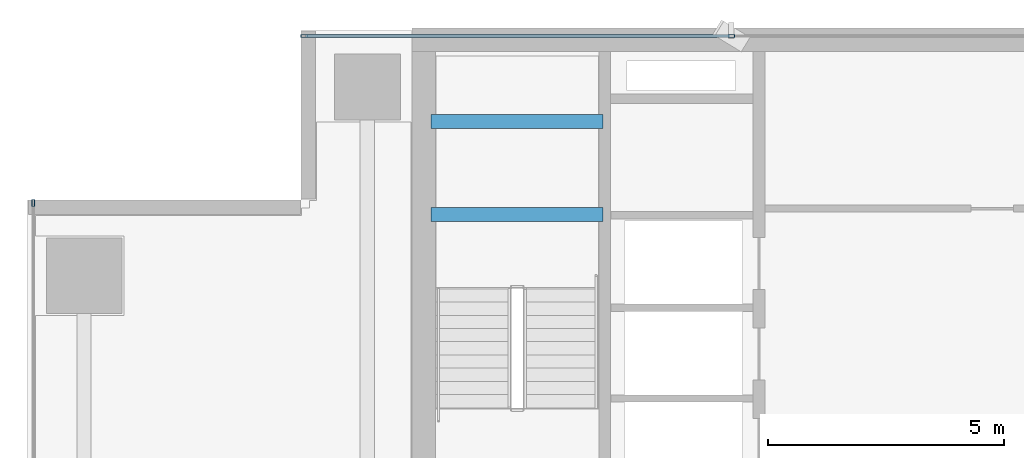
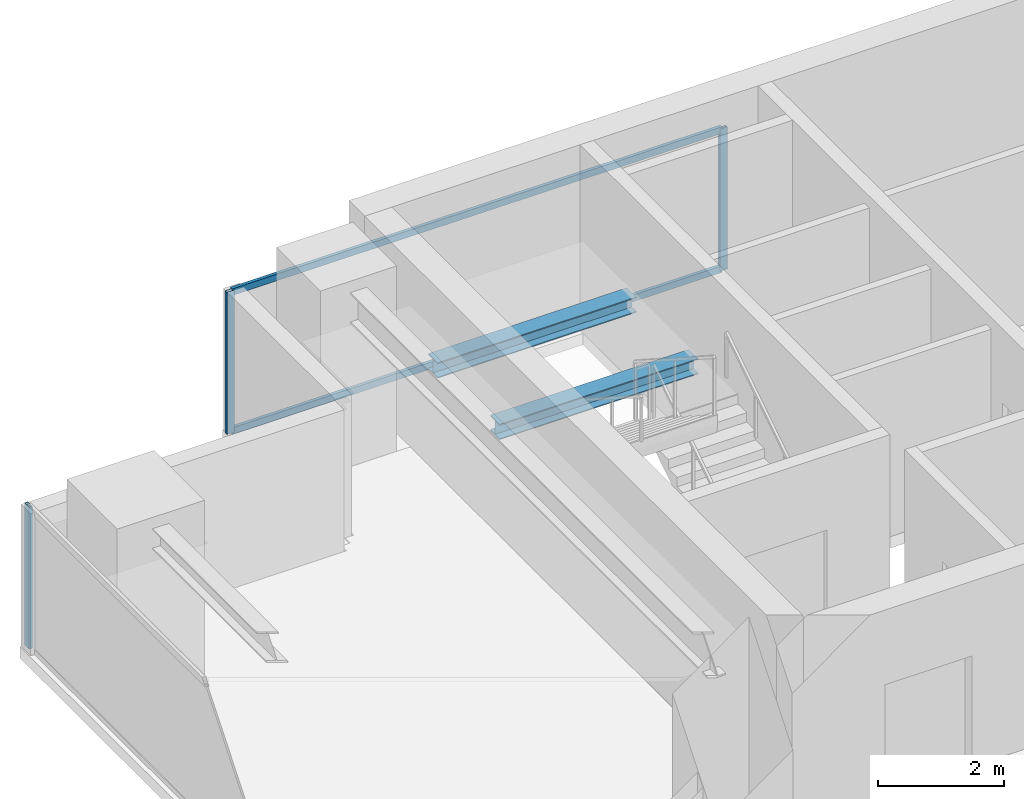
# One storey, part 20 of 31: 5 members, 2 beams, 2 elements without a shape of their own.
"""IFC4 building model written with IfcOpenShell, lengths in metres."""

import ifcopenshell
import ifcopenshell.guid

model = None  # the IFC model being written
_history = None  # IfcOwnerHistory: only IFC2X3 demands one
_inside = {}  # id of a spatial element -> (the spatial element, [elements in it])
_under = {}  # id of a project, library or spatial element -> (it, [spatial elements below it])
_declared = {}  # id of a project -> (the project, [libraries it declares])
_typed = {}  # id of a type object -> (the type object, [elements of that type])
_made_of = {}  # id of a material, layer set ... -> (it, [elements and type objects made of it])


def new_model(schema):
    """Start an empty IFC model of exactly this schema.

    Asked for "IFC4X3", IfcOpenShell would pick the latest addendum, in which some entities
    have other attributes; the version numbers below select the first issue.
    IFC2X3 requires an IfcOwnerHistory on every rooted entity: one is made here for all.
    """
    global model, _history
    if schema == "IFC4X3":
        model = ifcopenshell.file(schema_version=(4, 3, 0, 0))
    else:
        model = ifcopenshell.file(schema=schema)
    _inside.clear()
    _under.clear()
    _declared.clear()
    _typed.clear()
    _made_of.clear()
    _history = None
    if model.schema == "IFC2X3":
        org = make("IfcOrganization", Name="unknown")
        user = make(
            "IfcPersonAndOrganization",
            ThePerson=make("IfcPerson", FamilyName="unknown"),
            TheOrganization=org,
        )
        app = make(
            "IfcApplication",
            ApplicationDeveloper=org,
            Version="unknown",
            ApplicationFullName="unknown",
            ApplicationIdentifier="unknown",
        )
        _history = make(
            "IfcOwnerHistory",
            OwningUser=user,
            OwningApplication=app,
            ChangeAction="ADDED",
            CreationDate=0,
        )
    return model


def make(cls, **values):
    """One entity of the class cls with the attributes given. An attribute that is None is left unset."""
    return model.create_entity(
        cls, **{name: value for name, value in values.items() if value is not None}
    )


def rooted(cls, **values):
    """An entity with a GlobalId (a new one), such as an element, a storey or a relation."""
    return make(cls, GlobalId=ifcopenshell.guid.new(), OwnerHistory=_history, **values)


def si_unit(unit_type, name, prefix=None):
    """IfcSIUnit, for example si_unit("LENGTHUNIT", "METRE", prefix="MILLI")."""
    return make("IfcSIUnit", UnitType=unit_type, Prefix=prefix, Name=name)


def assignment(units):
    """IfcUnitAssignment: the units of a project."""
    return None if units is None else make("IfcUnitAssignment", Units=units)


def point(xyz):
    """IfcCartesianPoint."""
    return None if xyz is None else make("IfcCartesianPoint", Coordinates=xyz)


def direction(xyz):
    """IfcDirection."""
    return None if xyz is None else make("IfcDirection", DirectionRatios=xyz)


def frame(location, z_axis=None, x_axis=None):
    """IfcAxis2Placement3D, a coordinate frame: its origin and axes. An axis left out is left unset."""
    return make(
        "IfcAxis2Placement3D",
        Location=point(location),
        Axis=direction(z_axis),
        RefDirection=direction(x_axis),
    )


def frame_2d(location, x_axis=None):
    """IfcAxis2Placement2D, a coordinate frame in the plane: its origin and x axis."""
    return make(
        "IfcAxis2Placement2D", Location=point(location), RefDirection=direction(x_axis)
    )


def origin():
    """The frame at (0, 0, 0) with its axes left unset."""
    return frame((0.0, 0.0, 0.0))


def origin_2d():
    """The frame at (0, 0) in the plane with its x axis left unset."""
    return frame_2d((0.0, 0.0))


def place(relative_to, where):
    """IfcLocalPlacement: puts the frame where relative to a parent placement (None: the world)."""
    return make(
        "IfcLocalPlacement", PlacementRelTo=relative_to, RelativePlacement=where
    )


def context(
    kind, dimensions, precision=None, world=None, true_north=None, identifier=None
):
    """IfcGeometricRepresentationContext, for example the 3D "Model" context."""
    return make(
        "IfcGeometricRepresentationContext",
        ContextIdentifier=identifier,
        ContextType=kind,
        CoordinateSpaceDimension=dimensions,
        Precision=precision,
        WorldCoordinateSystem=world,
        TrueNorth=true_north,
    )


def subcontext(parent, identifier, kind, view, scale=None):
    """IfcGeometricRepresentationSubContext, for example "Body" below "Model"."""
    return make(
        "IfcGeometricRepresentationSubContext",
        ContextIdentifier=identifier,
        ContextType=kind,
        ParentContext=parent,
        TargetScale=scale,
        TargetView=view,
    )


def project(units=None, contexts=None):
    """IfcProject with its units and contexts."""
    return rooted(
        "IfcProject",
        Name="project",
        RepresentationContexts=contexts,
        UnitsInContext=assignment(units),
    )


def spatial(cls, under=None, at=None, **own):
    """A site, building, storey or space (cls), placed at a placement, below another one or the project."""
    s = rooted(cls, ObjectPlacement=at, **own)
    if under is not None:
        _under.setdefault(under.id(), (under, []))[1].append(s)
    return s


def profile(cls, at=None, kind="AREA", **sizes):
    """A parametric profile (cls). Its sizes go by their IFC names, for example OverallWidth=200.0."""
    return make(cls, ProfileType=kind, Position=at, **sizes)


def hollow_rectangle(**sizes):
    """IfcRectangleHollowProfileDef."""
    return profile("IfcRectangleHollowProfileDef", **sizes)


def i_section(**sizes):
    """IfcIShapeProfileDef."""
    return profile("IfcIShapeProfileDef", **sizes)


def extrude(swept, where, along, depth):
    """IfcExtrudedAreaSolid: the profile swept, set in the frame where, extruded along a direction by depth."""
    return make(
        "IfcExtrudedAreaSolid",
        SweptArea=swept,
        Position=where,
        ExtrudedDirection=direction(along),
        Depth=depth,
    )


def shape(context_of_items, identifier, shape_type, items):
    """IfcShapeRepresentation: the items that make up one representation, for example the "Body"."""
    return make(
        "IfcShapeRepresentation",
        ContextOfItems=context_of_items,
        RepresentationIdentifier=identifier,
        RepresentationType=shape_type,
        Items=items,
    )


def source(mapping_origin, context_of_items, identifier, shape_type, items):
    """IfcRepresentationMap: a shape defined once, which mapped items show again and again."""
    return make(
        "IfcRepresentationMap",
        MappingOrigin=mapping_origin,
        MappedRepresentation=shape(context_of_items, identifier, shape_type, items),
    )


def transform(
    local_origin,
    x_axis=None,
    y_axis=None,
    z_axis=None,
    scale=None,
    scale2=None,
    scale3=None,
    uniform=True,
):
    """IfcCartesianTransformationOperator3D, or its non-uniform kind. x_axis, y_axis, z_axis: its Axis1, 2, 3."""
    if uniform:
        return make(
            "IfcCartesianTransformationOperator3D",
            Axis1=direction(x_axis),
            Axis2=direction(y_axis),
            LocalOrigin=point(local_origin),
            Scale=scale,
            Axis3=direction(z_axis),
        )
    return make(
        "IfcCartesianTransformationOperator3DnonUniform",
        Axis1=direction(x_axis),
        Axis2=direction(y_axis),
        LocalOrigin=point(local_origin),
        Scale=scale,
        Axis3=direction(z_axis),
        Scale2=scale2,
        Scale3=scale3,
    )


def mapped(mapping_source, mapping_target):
    """IfcMappedItem: shows the shape of a source again, moved by a transform."""
    return make(
        "IfcMappedItem", MappingSource=mapping_source, MappingTarget=mapping_target
    )


def material(Name=None, Category=None):
    """IfcMaterial."""
    return make("IfcMaterial", Name=Name, Category=Category)


def layer(
    of_material, thickness, ventilated=None, Name=None, Category=None, Priority=None
):
    """IfcMaterialLayer: one layer of a wall or slab, of a material (None: an air gap)."""
    return make(
        "IfcMaterialLayer",
        Material=of_material,
        LayerThickness=thickness,
        IsVentilated=ventilated,
        Name=Name,
        Category=Category,
        Priority=Priority,
    )


def layer_set(layers, Name=None):
    """IfcMaterialLayerSet."""
    return make("IfcMaterialLayerSet", MaterialLayers=layers, LayerSetName=Name)


def material_profile(
    of_material, cross_section, Name=None, Category=None, Priority=None
):
    """IfcMaterialProfile: a cross section and its material."""
    return make(
        "IfcMaterialProfile",
        Name=Name,
        Material=of_material,
        Profile=cross_section,
        Priority=Priority,
        Category=Category,
    )


def profile_set(profiles, Name=None, composite=None):
    """IfcMaterialProfileSet."""
    return make(
        "IfcMaterialProfileSet",
        Name=Name,
        MaterialProfiles=profiles,
        CompositeProfile=composite,
    )


def made_of(thing, what):
    """Note that an element or type object is made of a material, layer set ...; save() writes the relation."""
    if what is not None:
        _made_of.setdefault(what.id(), (what, []))[1].append(thing)
    return thing


def type_object(cls, material=None, **own):
    """A type object (cls), such as IfcWallType, which elements share."""
    return made_of(rooted(cls, **own), material)


def element(
    cls,
    number,
    at=None,
    inside=None,
    cuts=None,
    type_object=None,
    material=None,
    context=None,
    identifier="Body",
    shape_type=None,
    held_by="IfcProductDefinitionShape",
    body=None,
    shapes=None,
    **own,
):
    """One element of the class cls, such as IfcWall. Its Tag is "e" and its number.

    at: its placement. inside: the storey or other place that contains it. cuts: it is an
    opening in that element (IfcRelVoidsElement). A single representation is given by context,
    identifier, shape_type and body (its items); several are given by shapes. held_by: the class
    of the entity that holds the representations. save() writes the other relations.
    """
    e = rooted(cls, Tag="e%d" % number, ObjectPlacement=at, **own)
    if body is not None:
        shapes = [shape(context, identifier, shape_type, body)]
    if shapes is not None:
        e.Representation = make(held_by, Representations=shapes)
    if inside is not None:
        _inside.setdefault(inside.id(), (inside, []))[1].append(e)
    if cuts is not None:
        rooted(
            "IfcRelVoidsElement", RelatingBuildingElement=cuts, RelatedOpeningElement=e
        )
    if type_object is not None:
        _typed.setdefault(type_object.id(), (type_object, []))[1].append(e)
    return made_of(e, material)


def aggregate(whole, parts):
    """IfcRelAggregates: a whole, such as a stair, and the parts it consists of."""
    return rooted("IfcRelAggregates", RelatingObject=whole, RelatedObjects=parts)


def save(model, path):
    """Write the relations noted so far, then the file.

    IfcRelAggregates (storeys below a building ...), IfcRelContainedInSpatialStructure (elements
    in a storey), IfcRelDefinesByType, IfcRelAssociatesMaterial and IfcRelDeclares: one each for
    every whole, place, type object, material and project.
    """
    for whole, parts in _under.values():
        aggregate(whole, parts)
    for where, things in _inside.values():
        rooted(
            "IfcRelContainedInSpatialStructure",
            RelatedElements=things,
            RelatingStructure=where,
        )
    for kind, things in _typed.values():
        rooted("IfcRelDefinesByType", RelatedObjects=things, RelatingType=kind)
    for what, things in _made_of.values():
        rooted("IfcRelAssociatesMaterial", RelatedObjects=things, RelatingMaterial=what)
    for by, libraries in _declared.values():
        rooted("IfcRelDeclares", RelatingContext=by, RelatedDefinitions=libraries)
    model.write(path)


model = new_model("IFC4")

# Units and contexts
model_context = context("Model", 3, precision=1e-05, world=origin(), true_north=direction((0.0, 1.0)))
body_context = subcontext(model_context, "Body", "Model", "MODEL_VIEW")
ifc_project = project(units=[si_unit("LENGTHUNIT", "METRE"), si_unit("AREAUNIT", "SQUARE_METRE"), si_unit("VOLUMEUNIT", "CUBIC_METRE"), si_unit("PLANEANGLEUNIT", "RADIAN"), si_unit("MASSUNIT", "GRAM", prefix="KILO")], contexts=[model_context])

# Site, building, storey
site_placement = place(None, origin())
site = spatial("IfcSite", under=ifc_project, at=site_placement, CompositionType="ELEMENT")
building_placement = place(site_placement, origin())
building = spatial("IfcBuilding", under=site, at=building_placement, Name="Sumidabori Civic Tower", CompositionType="ELEMENT")
storey_placement = place(building_placement, frame((0.0, 0.0, 221.60009765625)))
storey = spatial("IfcBuildingStorey", under=building, at=storey_placement, Name="L57", CompositionType="ELEMENT", Elevation=221.60009765625)

# Beams
ifc_material_1 = material(Name="Steel SN490", Category="steel")
ifc_material_profile_1 = material_profile(ifc_material_1, i_section(OverallWidth=0.300048828125, OverallDepth=0.300048828125, WebThickness=0.010986328125, FlangeThickness=0.01904296875, at=origin_2d()), Name="HE 300 B")
ifc_profile_set_1 = profile_set([ifc_material_profile_1], Name="Steel SN490")
beam_type = type_object("IfcBeamType", Name="BM-LDG-300", PredefinedType="BEAM", material=ifc_profile_set_1)
shared_shape_1 = source(origin(), body_context, "Body", "SweptSolid", [
    extrude(i_section(OverallWidth=0.300048828125, OverallDepth=0.300048828125, WebThickness=0.010986328125, FlangeThickness=0.01904296875, at=origin_2d()), origin(), (0.0, 0.0, 1.0), 3.64990234375),
])
for number, where, z_axis, x_axis, name in (
    (1, (-15.449951171875, 20.09765625, 1.449951171875), (1.0, 0.0, 0.0), (0.0, 1.0, 0.0), "Stair ST-1 Landing Support Beam L57-1A"),
    (2, (-15.449951171875, 22.069580078125, 1.449951171875), (1.0, 0.0, 0.0), (0.0, 1.0, 0.0), "Stair ST-1 Landing Trimmer Beam L57-1B"),
):
    element("IfcBeam", number, at=place(storey_placement, frame(where, z_axis=z_axis, x_axis=x_axis)), inside=storey, type_object=beam_type, Name=name, PredefinedType="BEAM", context=body_context, shape_type="MappedRepresentation", body=[
        mapped(shared_shape_1, transform((0.0, 0.0, 0.0), x_axis=(1.0, 0.0, 0.0), y_axis=(0.0, 1.0, 0.0), z_axis=(0.0, 0.0, 1.0), scale=1.0)),
    ])

# Curtain wall, members
ifc_material_2 = material(Name="Anodised Bronze Aluminium AW-6063-T6", Category="aluminium")
ifc_layer = layer(ifc_material_2, 0.179931640625, Name="Anodised Bronze Aluminium AW-6063-T6")
ifc_layer_set = layer_set([ifc_layer], Name="Anodised Bronze Aluminium AW-6063-T6")
curtain_wall_type = type_object("IfcCurtainWallType", Name="CW-SYS-5", PredefinedType="NOTDEFINED", material=ifc_layer_set)
curtain_wall_1_placement = place(storey_placement, origin())
curtain_wall_1 = element("IfcCurtainWall", 3, at=curtain_wall_1_placement, inside=storey, type_object=curtain_wall_type, Name="Curtain Wall CW:L57:R19", PredefinedType="NOTDEFINED")
ifc_material_profile_2 = material_profile(ifc_material_2, hollow_rectangle(XDim=0.06005859375, YDim=0.139892578125, WallThickness=0.0048828125, at=origin_2d()), Name="ALU MULLION 140x60")
ifc_profile_set_2 = profile_set([ifc_material_profile_2], Name="Anodised Bronze Aluminium AW-6063-T6")
member_type_1 = type_object("IfcMemberType", Name="CW-MUL-140", PredefinedType="MULLION", material=ifc_profile_set_2)
shared_shape_2 = source(origin(), body_context, "Body", "SweptSolid", [
    extrude(hollow_rectangle(XDim=0.06005859375, YDim=0.139892578125, WallThickness=0.0048828125, at=origin_2d()), origin(), (0.0, 0.0, 1.0), 2.760009765625),
])
member_1_placement = place(storey_placement, frame((-9.0849609375, 23.8798828125, 0.0), z_axis=(0.0, 0.0, 1.0), x_axis=(0.0, -1.0, 0.0)))
member_1 = element("IfcMember", 4, at=member_1_placement, type_object=member_type_1, Name="CW-5 mullion 4", PredefinedType="MULLION", context=body_context, shape_type="MappedRepresentation", body=[
    mapped(shared_shape_2, transform((0.0, 0.0, 0.0), x_axis=(1.0, 0.0, 0.0), y_axis=(0.0, 1.0, 0.0), z_axis=(0.0, 0.0, 1.0), scale=1.0)),
])
member_2_placement = place(storey_placement, frame((-18.139892578125, 23.8798828125, 0.0), z_axis=(0.0, 0.0, 1.0), x_axis=(0.0, -1.0, 0.0)))
member_2 = element("IfcMember", 5, at=member_2_placement, type_object=member_type_1, Name="CW-5 mullion 5", PredefinedType="MULLION", context=body_context, shape_type="MappedRepresentation", body=[
    mapped(shared_shape_2, transform((0.0, 0.0, 0.0), x_axis=(1.0, 0.0, 0.0), y_axis=(0.0, 1.0, 0.0), z_axis=(0.0, 0.0, 1.0), scale=1.0)),
])

# Curtain wall, member
curtain_wall_2_placement = place(storey_placement, origin())
curtain_wall_2 = element("IfcCurtainWall", 6, at=curtain_wall_2_placement, inside=storey, type_object=curtain_wall_type, Name="Curtain Wall CW:L57:R22", PredefinedType="NOTDEFINED")
member_3_placement = place(storey_placement, frame((-23.8798828125, 20.340087890625, 0.0), z_axis=(0.0, 0.0, 1.0), x_axis=(1.0, 0.0, 0.0)))
member_3 = element("IfcMember", 7, at=member_3_placement, type_object=member_type_1, Name="CW-5 mullion 1", PredefinedType="MULLION", context=body_context, shape_type="MappedRepresentation", body=[
    mapped(shared_shape_2, transform((0.0, 0.0, 0.0), x_axis=(1.0, 0.0, 0.0), y_axis=(0.0, 1.0, 0.0), z_axis=(0.0, 0.0, 1.0), scale=1.0)),
])
aggregate(curtain_wall_2, [member_3])

# Member
ifc_material_profile_3 = material_profile(ifc_material_2, hollow_rectangle(XDim=0.06005859375, YDim=0.1298828125, WallThickness=0.0048828125, at=origin_2d()), Name="ALU TRANSOM 130x60")
ifc_profile_set_3 = profile_set([ifc_material_profile_3], Name="Anodised Bronze Aluminium AW-6063-T6")
member_type_2 = type_object("IfcMemberType", Name="CW-TRN-130", PredefinedType="USERDEFINED", material=ifc_profile_set_3)
shared_shape_3 = source(origin(), body_context, "Body", "SweptSolid", [
    extrude(hollow_rectangle(XDim=0.06005859375, YDim=0.1298828125, WallThickness=0.0048828125, at=origin_2d()), origin(), (0.0, 0.0, 1.0), 8.9951171875),
])
member_4_placement = place(storey_placement, frame((-9.114990234375, 23.8798828125, 0.02978515625), z_axis=(-1.0, 0.0, 0.0), x_axis=(0.0, -1.0, 0.0)))
member_4 = element("IfcMember", 8, at=member_4_placement, type_object=member_type_2, Name="CW-5 transom 4.1", ObjectType="TRANSOM", PredefinedType="USERDEFINED", context=body_context, shape_type="MappedRepresentation", body=[
    mapped(shared_shape_3, transform((0.0, 0.0, 0.0), x_axis=(1.0, 0.0, 0.0), y_axis=(0.0, 1.0, 0.0), z_axis=(0.0, 0.0, 1.0), scale=1.0)),
])

member_5_placement = place(storey_placement, frame((-9.114990234375, 23.8798828125, 2.72998046875), z_axis=(-1.0, 0.0, 0.0), x_axis=(0.0, -1.0, 0.0)))
member_5 = element("IfcMember", 9, at=member_5_placement, type_object=member_type_2, Name="CW-5 transom 4.2", ObjectType="TRANSOM", PredefinedType="USERDEFINED", context=body_context, shape_type="MappedRepresentation", body=[
    mapped(shared_shape_3, transform((0.0, 0.0, 0.0), x_axis=(1.0, 0.0, 0.0), y_axis=(0.0, 1.0, 0.0), z_axis=(0.0, 0.0, 1.0), scale=1.0)),
])

aggregate(curtain_wall_1, [member_1, member_2, member_4, member_5])

save(model, "model.ifc")
